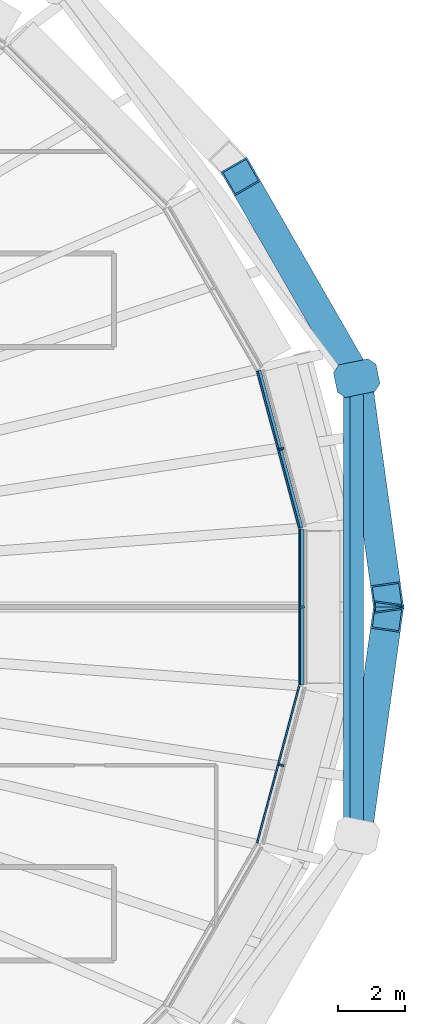
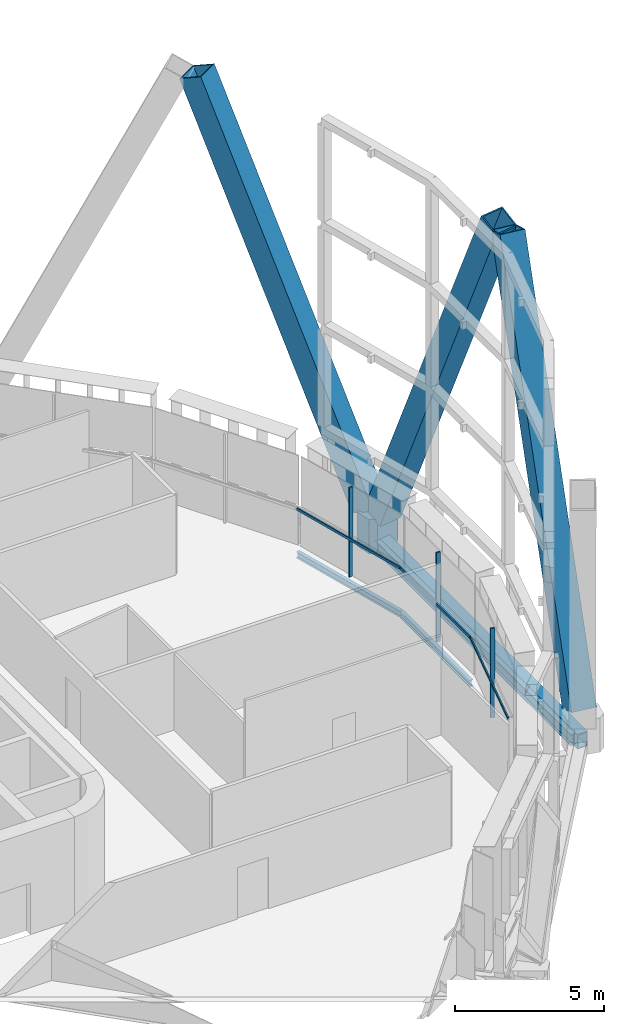
# One storey, part 13 of 26: 10 members, 4 beams, 3 elements without a shape of their own.
"""IFC4 building model written with IfcOpenShell, lengths in metres."""

from ifc_helpers import new_model, si_unit, direction, frame, origin, origin_2d, place, context, subcontext, project, spatial, polyline, rectangle, hollow_rectangle, i_section, outline, extrude, material, layer, layer_set, material_profile, profile_set, type_object, element, aggregate, save


model = new_model("IFC4")

# Units and contexts
model_context = context("Model", 3, precision=1e-05, world=origin(), true_north=direction((0.0, 1.0)))
body_context = subcontext(model_context, "Body", "Model", "MODEL_VIEW")
ifc_project = project(units=[si_unit("LENGTHUNIT", "METRE"), si_unit("AREAUNIT", "SQUARE_METRE"), si_unit("VOLUMEUNIT", "CUBIC_METRE"), si_unit("PLANEANGLEUNIT", "RADIAN"), si_unit("MASSUNIT", "GRAM", prefix="KILO")], contexts=[model_context])

# Site, building, storey
site_placement = place(None, origin())
site = spatial("IfcSite", under=ifc_project, at=site_placement, CompositionType="ELEMENT")
building_placement = place(site_placement, origin())
building = spatial("IfcBuilding", under=site, at=building_placement, Name="Sahrelin Media Tower", CompositionType="ELEMENT")
storey_placement = place(building_placement, frame((0.0, 0.0, 131.39990234375)))
storey = spatial("IfcBuildingStorey", under=building, at=storey_placement, Name="L26", CompositionType="ELEMENT", Elevation=131.39990234375)

# Members
ifc_material_1 = material(Name="Steel S460", Category="steel")
ifc_material_profile_1 = material_profile(ifc_material_1, hollow_rectangle(XDim=0.89990234375, YDim=0.89990234375, WallThickness=0.050048828125, at=origin_2d()), Name="Diagrid diagonal DG3")
ifc_profile_set_1 = profile_set([ifc_material_profile_1], Name="Steel S460")
member_type_1 = type_object("IfcMemberType", Name="Diagrid diagonal DG3", PredefinedType="BRACE", material=ifc_profile_set_1)
member_1_placement = place(storey_placement, frame((33.314208984375, 6.57666015625, 0.7001953125), z_axis=(0.052511992793, -0.377637878396, 0.924463154168), x_axis=(0.99046999965, 0.137728645506, 0.0)))
element("IfcMember", 1, at=member_1_placement, inside=storey, type_object=member_type_1, Name="Diagrid diagonal D05-00", PredefinedType="BRACE", context=body_context, shape_type="SweptSolid", body=[
    extrude(hollow_rectangle(XDim=0.89990234375, YDim=0.89990234375, WallThickness=0.050048828125, at=origin_2d()), origin(), (0.0, 0.0, 1.0), 16.658203125),
])
member_2_placement = place(storey_placement, frame((33.123046875, 7.12548828125, 0.7001953125), z_axis=(-0.1983368601, 0.344642114144, 0.917542534755), x_axis=(-0.866724059619, -0.498787935378, 0.0)))
element("IfcMember", 2, at=member_2_placement, inside=storey, type_object=member_type_1, Name="Diagrid diagonal D05-01", PredefinedType="BRACE", context=body_context, shape_type="SweptSolid", body=[
    extrude(hollow_rectangle(XDim=0.89990234375, YDim=0.89990234375, WallThickness=0.050048828125, at=origin_2d()), origin(), (0.0, 0.0, 1.0), 16.783935546875),
])
member_3_placement = place(storey_placement, frame((33.314208984375, -6.57666015625, 0.7001953125), z_axis=(0.052511992793, 0.377637878396, 0.924463154168), x_axis=(-0.99046999965, 0.137728645506, 0.0)))
element("IfcMember", 3, at=member_3_placement, inside=storey, type_object=member_type_1, Name="Diagrid diagonal D05-23", PredefinedType="BRACE", context=body_context, shape_type="SweptSolid", body=[
    extrude(hollow_rectangle(XDim=0.89990234375, YDim=0.89990234375, WallThickness=0.050048828125, at=origin_2d()), origin(), (0.0, 0.0, 1.0), 16.658203125),
])
ifc_material_profile_2 = material_profile(ifc_material_1, outline(polyline([(0.449951171875, -0.5), (0.64990234375, -0.300048828125), (0.64990234375, 0.300048828125), (0.449951171875, 0.5), (-0.449951171875, 0.5), (-0.64990234375, 0.300048828125), (-0.64990234375, -0.300048828125), (-0.449951171875, -0.5), (0.449951171875, -0.5)])), Name="Diagrid node block 1300")
ifc_profile_set_2 = profile_set([ifc_material_profile_2], Name="Steel S460")
member_type_2 = type_object("IfcMemberType", Name="Diagrid node block 1300", PredefinedType="USERDEFINED", material=ifc_profile_set_2)
member_4_placement = place(storey_placement, frame((33.2744140625, 6.862548828125, -0.699951171875), z_axis=(0.0, 0.0, 1.0), x_axis=(0.979387770926, 0.201989094163, 0.0)))
element("IfcMember", 4, at=member_4_placement, inside=storey, type_object=member_type_2, Name="Diagrid node N05-00", ObjectType="NODE", PredefinedType="USERDEFINED", context=body_context, shape_type="SweptSolid", body=[
    extrude(outline(polyline([(0.449951171875, -0.5), (0.64990234375, -0.300048828125), (0.64990234375, 0.300048828125), (0.449951171875, 0.5), (-0.449951171875, 0.5), (-0.64990234375, 0.300048828125), (-0.64990234375, -0.300048828125), (-0.449951171875, -0.5), (0.449951171875, -0.5)])), origin(), (0.0, 0.0, 1.0), 1.400146484375),
])

# Beams
ifc_material_profile_3 = material_profile(ifc_material_1, hollow_rectangle(XDim=0.39990234375, YDim=0.60009765625, WallThickness=0.030029296875, at=origin_2d()), Name="Diagrid ring beam RB1")
ifc_profile_set_3 = profile_set([ifc_material_profile_3], Name="Steel S460")
beam_type_1 = type_object("IfcBeamType", Name="Diagrid ring beam RB1", PredefinedType="BEAM", material=ifc_profile_set_3)
beam_1_placement = place(storey_placement, frame((33.2744140625, -6.862548828125, -0.449951171875), z_axis=(0.0, 1.0, 0.0), x_axis=(-1.0, 0.0, 0.0)))
element("IfcBeam", 5, at=beam_1_placement, inside=storey, type_object=beam_type_1, Name="Diagrid ring beam RB05-11", PredefinedType="BEAM", context=body_context, shape_type="SweptSolid", body=[
    extrude(hollow_rectangle(XDim=0.39990234375, YDim=0.60009765625, WallThickness=0.030029296875, at=origin_2d()), origin(), (0.0, 0.0, 1.0), 13.72509765625),
])
ifc_material_2 = material(Name="Steel S355", Category="steel")
ifc_material_profile_4 = material_profile(ifc_material_2, i_section(OverallWidth=0.14599609375, OverallDepth=0.25146484375, WebThickness=0.006103515625, FlangeThickness=0.008544921875, FilletRadius=0.007568359375, at=origin_2d()), Name="UB 254x146x31")
ifc_profile_set_4 = profile_set([ifc_material_profile_4], Name="Steel S355")
beam_type_2 = type_object("IfcBeamType", Name="Edge beam EB1", PredefinedType="BEAM", material=ifc_profile_set_4)
beam_2_placement = place(storey_placement, frame((31.599365234375, 2.337646484375, -0.275634765625), z_axis=(0.0, -1.0, 0.0), x_axis=(1.0, 0.0, 0.0)))
element("IfcBeam", 6, at=beam_2_placement, inside=storey, type_object=beam_type_2, Name="Edge beam L26-01", PredefinedType="BEAM", context=body_context, shape_type="SweptSolid", body=[
    extrude(i_section(OverallWidth=0.14599609375, OverallDepth=0.25146484375, WebThickness=0.006103515625, FlangeThickness=0.008544921875, FilletRadius=0.007568359375, at=origin_2d()), origin(), (0.0, 0.0, 1.0), 4.67529296875),
])
beam_3_placement = place(storey_placement, frame((30.3291015625, 7.09228515625, -0.275634765625), z_axis=(0.258820885575, -0.965925333134, 0.0), x_axis=(0.965925333134, 0.258820885575, 0.0)))
element("IfcBeam", 7, at=beam_3_placement, inside=storey, type_object=beam_type_2, Name="Edge beam L26-24", PredefinedType="BEAM", context=body_context, shape_type="SweptSolid", body=[
    extrude(i_section(OverallWidth=0.14599609375, OverallDepth=0.25146484375, WebThickness=0.006103515625, FlangeThickness=0.008544921875, FilletRadius=0.007568359375, at=origin_2d()), origin(), (0.0, 0.0, 1.0), 4.892822265625),
])

# Curtain wall, member
ifc_material_3 = material(Name="Champagne anodised aluminium 6063-T6", Category="aluminium")
ifc_layer = layer(ifc_material_3, 0.14990234375)
ifc_layer_set = layer_set([ifc_layer], Name="Tower ribbon curtain wall")
curtain_wall_type = type_object("IfcCurtainWallType", Name="Tower ribbon curtain wall", PredefinedType="NOTDEFINED", material=ifc_layer_set)
curtain_wall_1_placement = place(storey_placement, frame((31.749267578125, 0.0, 0.0), z_axis=(0.0, 0.0, 1.0), x_axis=(1.0, 0.0, 0.0)))
curtain_wall_1 = element("IfcCurtainWall", 8, at=curtain_wall_1_placement, inside=storey, type_object=curtain_wall_type, Name="L26:CW:L26-00", PredefinedType="NOTDEFINED")
ifc_material_profile_5 = material_profile(ifc_material_3, rectangle(XDim=0.06005859375, YDim=0.14990234375, at=origin_2d()), Name="Mullion 60x150")
ifc_profile_set_5 = profile_set([ifc_material_profile_5], Name="Champagne anodised aluminium 6063-T6")
member_type_3 = type_object("IfcMemberType", Name="Mullion 60x150 CW1", PredefinedType="MULLION", material=ifc_profile_set_5)
member_5_placement = place(storey_placement, frame((31.654296875, 0.0, 0.0), z_axis=(0.0, 0.0, 1.0), x_axis=(0.0, 1.0, 0.0)))
member_5 = element("IfcMember", 9, at=member_5_placement, type_object=member_type_3, Name="L26:CWM:L26-00", PredefinedType="MULLION", context=body_context, shape_type="SweptSolid", body=[
    extrude(rectangle(XDim=0.06005859375, YDim=0.14990234375, at=origin_2d()), origin(), (0.0, 0.0, 1.0), 3.648681640625),
])

curtain_wall_2_placement = place(storey_placement, frame((31.107421875, 4.76806640625, 0.0), z_axis=(0.0, 0.0, 1.0), x_axis=(1.0, 0.0, 0.0)))
curtain_wall_2 = element("IfcCurtainWall", 10, at=curtain_wall_2_placement, inside=storey, type_object=curtain_wall_type, Name="L26:CW:L26-01", PredefinedType="NOTDEFINED")
member_6_placement = place(storey_placement, frame((31.015380859375, 4.743408203125, 0.0), z_axis=(0.0, 0.0, 1.0), x_axis=(-0.258820730961, 0.965925374563, 0.0)))
member_6 = element("IfcMember", 11, at=member_6_placement, type_object=member_type_3, Name="L26:CWM:L26-01", PredefinedType="MULLION", context=body_context, shape_type="SweptSolid", body=[
    extrude(rectangle(XDim=0.06005859375, YDim=0.14990234375, at=origin_2d()), origin(), (0.0, 0.0, 1.0), 3.648681640625),
])

curtain_wall_3_placement = place(storey_placement, frame((31.107421875, -4.76806640625, 0.0), z_axis=(0.0, 0.0, 1.0), x_axis=(1.0, 0.0, 0.0)))
curtain_wall_3 = element("IfcCurtainWall", 12, at=curtain_wall_3_placement, inside=storey, type_object=curtain_wall_type, Name="L26:CW:L26-23", PredefinedType="NOTDEFINED")
member_7_placement = place(storey_placement, frame((31.015380859375, -4.743408203125, 0.0), z_axis=(0.0, 0.0, 1.0), x_axis=(0.258820730961, 0.965925374563, 0.0)))
member_7 = element("IfcMember", 13, at=member_7_placement, type_object=member_type_3, Name="L26:CWM:L26-23", PredefinedType="MULLION", context=body_context, shape_type="SweptSolid", body=[
    extrude(rectangle(XDim=0.06005859375, YDim=0.14990234375, at=origin_2d()), origin(), (0.0, 0.0, 1.0), 3.648681640625),
])

# Beam
ifc_material_profile_6 = material_profile(ifc_material_2, i_section(OverallWidth=0.1904296875, OverallDepth=0.45703125, WebThickness=0.009033203125, FlangeThickness=0.014404296875, FilletRadius=0.01025390625, at=origin_2d()), Name="UB 457x191x74")
ifc_profile_set_6 = profile_set([ifc_material_profile_6], Name="Steel S355")
beam_type_3 = type_object("IfcBeamType", Name="Tie chord TC5", PredefinedType="BEAM", material=ifc_profile_set_6)
beam_4_placement = place(storey_placement, frame((32.97412109375, 6.762451171875, -0.37841796875), z_axis=(0.0, -1.0, 0.0), x_axis=(1.0, 0.0, 0.0)))
element("IfcBeam", 14, at=beam_4_placement, inside=storey, type_object=beam_type_3, Name="Tie chord L26-01", PredefinedType="BEAM", context=body_context, shape_type="SweptSolid", body=[
    extrude(i_section(OverallWidth=0.1904296875, OverallDepth=0.45703125, WebThickness=0.009033203125, FlangeThickness=0.014404296875, FilletRadius=0.01025390625, at=origin_2d()), origin(), (0.0, 0.0, 1.0), 13.52490234375),
])

# Member
ifc_material_profile_7 = material_profile(ifc_material_3, rectangle(XDim=0.050048828125, YDim=0.10009765625, at=origin_2d()), Name="Transom 50x100")
ifc_profile_set_7 = profile_set([ifc_material_profile_7], Name="Champagne anodised aluminium 6063-T6")
member_type_4 = type_object("IfcMemberType", Name="Transom 50x100 CW1", PredefinedType="USERDEFINED", material=ifc_profile_set_7)
member_8_placement = place(storey_placement, frame((31.55419921875, -2.322021484375, 1.60009765625), z_axis=(0.0, 1.0, 0.0), x_axis=(-1.0, 0.0, 0.0)))
member_8 = element("IfcMember", 15, at=member_8_placement, type_object=member_type_4, Name="L26:CWT:L26-00", ObjectType="TRANSOM", PredefinedType="USERDEFINED", context=body_context, shape_type="SweptSolid", body=[
    extrude(rectangle(XDim=0.050048828125, YDim=0.10009765625, at=origin_2d()), origin(), (0.0, 0.0, 1.0), 4.64404296875),
])

aggregate(curtain_wall_1, [member_5, member_8])

member_9_placement = place(storey_placement, frame((31.548095703125, 2.36962890625, 1.60009765625), z_axis=(-0.258831472686, 0.965922496243, 0.0), x_axis=(-0.965922496243, -0.258831472686, 0.0)))
member_9 = element("IfcMember", 16, at=member_9_placement, type_object=member_type_4, Name="L26:CWT:L26-01", ObjectType="TRANSOM", PredefinedType="USERDEFINED", context=body_context, shape_type="SweptSolid", body=[
    extrude(rectangle(XDim=0.050048828125, YDim=0.10009765625, at=origin_2d()), origin(), (0.0, 0.0, 1.0), 4.861572265625),
])

aggregate(curtain_wall_2, [member_6, member_9])

member_10_placement = place(storey_placement, frame((30.289794921875, -7.0654296875, 1.60009765625), z_axis=(0.258831472686, 0.965922496243, 0.0), x_axis=(-0.965922496243, 0.258831472686, 0.0)))
member_10 = element("IfcMember", 17, at=member_10_placement, type_object=member_type_4, Name="L26:CWT:L26-23", ObjectType="TRANSOM", PredefinedType="USERDEFINED", context=body_context, shape_type="SweptSolid", body=[
    extrude(rectangle(XDim=0.050048828125, YDim=0.10009765625, at=origin_2d()), origin(), (0.0, 0.0, 1.0), 4.861572265625),
])

aggregate(curtain_wall_3, [member_7, member_10])

save(model, "model.ifc")
